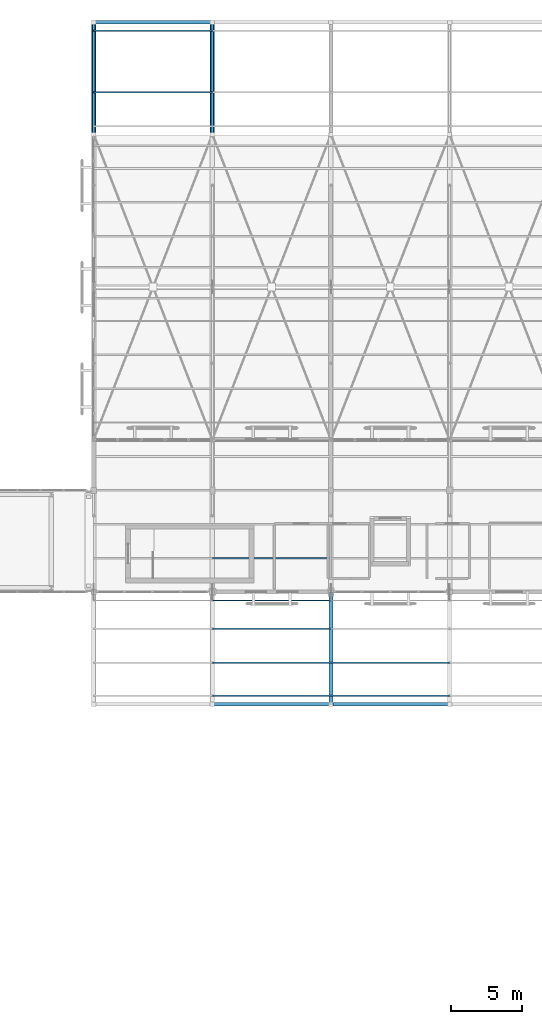
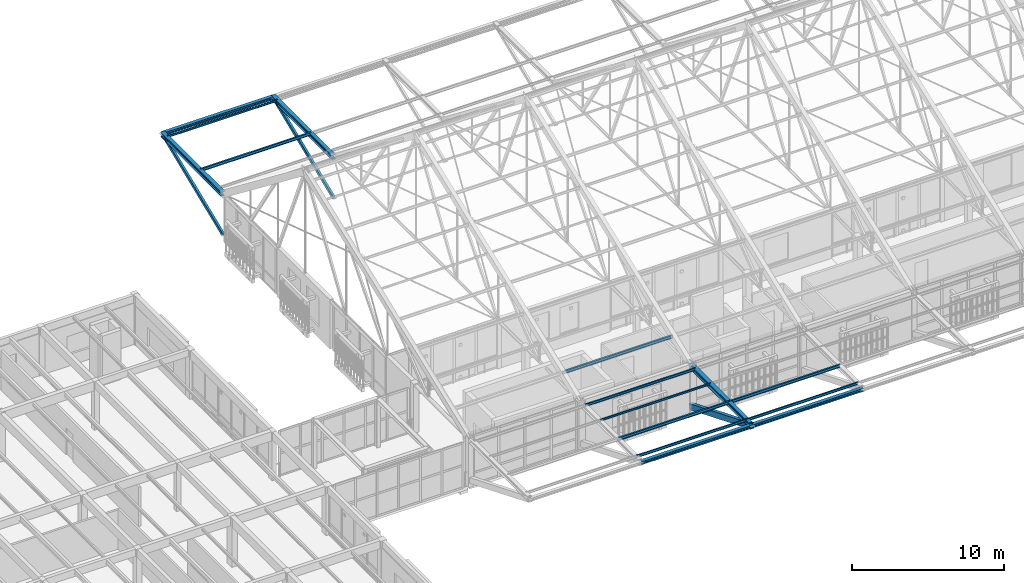
# One storey, part 80 of 217: 15 members, 3 beams.
"""IFC4 building model written with IfcOpenShell, lengths in metres."""

from ifc_helpers import new_model, si_unit, direction, frame, origin, origin_2d, place, context, subcontext, project, spatial, rectangle, hollow_rectangle, i_section, extrude, material, material_profile, profile_set, type_object, element, save


model = new_model("IFC4")

# Units and contexts
model_context = context("Model", 3, precision=1e-05, world=origin(), true_north=direction((0.0, 1.0)))
body_context = subcontext(model_context, "Body", "Model", "MODEL_VIEW")
ifc_project = project(units=[si_unit("LENGTHUNIT", "METRE"), si_unit("AREAUNIT", "SQUARE_METRE"), si_unit("VOLUMEUNIT", "CUBIC_METRE"), si_unit("PLANEANGLEUNIT", "RADIAN"), si_unit("MASSUNIT", "GRAM", prefix="KILO")], contexts=[model_context])

# Site, building, storey
site_placement = place(None, origin())
site = spatial("IfcSite", under=ifc_project, at=site_placement, CompositionType="ELEMENT")
building_placement = place(site_placement, origin())
building = spatial("IfcBuilding", under=site, at=building_placement, Name="Mazaris Harbour Polytechnic", CompositionType="ELEMENT")
storey_placement = place(building_placement, frame((0.0, 0.0, 9.60009765625)))
storey = spatial("IfcBuildingStorey", under=building, at=storey_placement, Name="L02", CompositionType="ELEMENT", Elevation=9.60009765625)

# Member
ifc_material_1 = material(Name="Glulam GL32h", Category="wood")
ifc_material_profile_1 = material_profile(ifc_material_1, rectangle(XDim=0.280029296875, YDim=0.43994140625, at=origin_2d()), Name="RECT280x440")
ifc_profile_set_1 = profile_set([ifc_material_profile_1], Name="Glulam GL32h")
member_type_1 = type_object("IfcMemberType", Name="Glulam Raking Strut 280x440", PredefinedType="BRACE", material=ifc_profile_set_1)
member_1_placement = place(storey_placement, frame((70.800048828125, 75.60009765625, 0.5), z_axis=(0.0, -0.925642918598, 0.378398186107), x_axis=(1.0, 0.0, 0.0)))
element("IfcMember", 1, at=member_1_placement, inside=storey, type_object=member_type_1, Name="Truss 3 South Eave Raking Strut", PredefinedType="BRACE", context=body_context, shape_type="SweptSolid", body=[
    extrude(rectangle(XDim=0.280029296875, YDim=0.43994140625, at=origin_2d()), origin(), (0.0, 0.0, 1.0), 8.5888671875),
])

# Beams
ifc_material_2 = material(Name="Steel S355", Category="steel")
ifc_material_profile_2 = material_profile(ifc_material_2, i_section(OverallWidth=0.260009765625, OverallDepth=0.25, WebThickness=0.007568359375, FlangeThickness=0.012451171875, FilletRadius=0.02392578125, at=origin_2d()), Name="HEA 260")
ifc_profile_set_2 = profile_set([ifc_material_profile_2], Name="Steel S355")
beam_type = type_object("IfcBeamType", Name="Steel Beam HEA260 Exterior", PredefinedType="SPANDREL", material=ifc_profile_set_2)
beam_1_placement = place(storey_placement, frame((54.0, 115.949951171875, 3.75), z_axis=(1.0, 0.0, 0.0), x_axis=(0.0, 1.0, 0.0)))
element("IfcBeam", 2, at=beam_1_placement, inside=storey, type_object=beam_type, Name="V1 Eave Fascia Beam 1", PredefinedType="SPANDREL", context=body_context, shape_type="SweptSolid", body=[
    extrude(i_section(OverallWidth=0.260009765625, OverallDepth=0.25, WebThickness=0.007568359375, FlangeThickness=0.012451171875, FilletRadius=0.02392578125, at=origin_2d()), origin(), (0.0, 0.0, 1.0), 8.39990234375),
])
beam_2_placement = place(storey_placement, frame((62.39990234375, 67.64990234375, 3.75), z_axis=(1.0, 0.0, 0.0), x_axis=(0.0, 1.0, 0.0)))
element("IfcBeam", 3, at=beam_2_placement, inside=storey, type_object=beam_type, Name="V1 Eave Fascia Beam 2", PredefinedType="SPANDREL", context=body_context, shape_type="SweptSolid", body=[
    extrude(i_section(OverallWidth=0.260009765625, OverallDepth=0.25, WebThickness=0.007568359375, FlangeThickness=0.012451171875, FilletRadius=0.02392578125, at=origin_2d()), origin(), (0.0, 0.0, 1.0), 8.400146484375),
])
beam_3_placement = place(storey_placement, frame((70.800048828125, 67.64990234375, 3.75), z_axis=(1.0, 0.0, 0.0), x_axis=(0.0, 1.0, 0.0)))
element("IfcBeam", 4, at=beam_3_placement, inside=storey, type_object=beam_type, Name="V1 Eave Fascia Beam 3", PredefinedType="SPANDREL", context=body_context, shape_type="SweptSolid", body=[
    extrude(i_section(OverallWidth=0.260009765625, OverallDepth=0.25, WebThickness=0.007568359375, FlangeThickness=0.012451171875, FilletRadius=0.02392578125, at=origin_2d()), origin(), (0.0, 0.0, 1.0), 8.39990234375),
])

# Members
ifc_material_3 = material(Name="Steel S355", Category="steel")
ifc_material_profile_3 = material_profile(ifc_material_3, i_section(OverallWidth=0.300048828125, OverallDepth=0.360107421875, WebThickness=0.012451171875, FlangeThickness=0.0224609375, FilletRadius=0.027099609375, at=origin_2d()), Name="HEB 360")
ifc_profile_set_3 = profile_set([ifc_material_profile_3], Name="Steel S355")
member_type_2 = type_object("IfcMemberType", Name="Steel Eave Cantilever HEB360", PredefinedType="CHORD", material=ifc_profile_set_3)
for number, where, z_axis, x_axis, name in (
    (5, (54.0, 108.0, 3.75), (0.0, 1.0, 0.0), (-1.0, 0.0, 0.0), "Truss 1 North Overhanging Eave Chord"),
    (6, (62.39990234375, 108.0, 3.75), (0.0, 1.0, 0.0), (-1.0, 0.0, 0.0), "Truss 2 North Overhanging Eave Chord"),
):
    element("IfcMember", number, at=place(storey_placement, frame(where, z_axis=z_axis, x_axis=x_axis)), inside=storey, type_object=member_type_2, Name=name, PredefinedType="CHORD", context=body_context, shape_type="SweptSolid", body=[
        extrude(i_section(OverallWidth=0.300048828125, OverallDepth=0.360107421875, WebThickness=0.012451171875, FlangeThickness=0.0224609375, FilletRadius=0.027099609375, at=origin_2d()), origin(), (0.0, 0.0, 1.0), 7.949951171875),
    ])
member_2_placement = place(storey_placement, frame((70.800048828125, 75.60009765625, 3.75), z_axis=(0.0, -1.0, 0.0), x_axis=(1.0, 0.0, 0.0)))
element("IfcMember", 7, at=member_2_placement, inside=storey, type_object=member_type_2, Name="Truss 3 South Overhanging Eave Chord", PredefinedType="CHORD", context=body_context, shape_type="SweptSolid", body=[
    extrude(i_section(OverallWidth=0.300048828125, OverallDepth=0.360107421875, WebThickness=0.012451171875, FlangeThickness=0.0224609375, FilletRadius=0.027099609375, at=origin_2d()), origin(), (0.0, 0.0, 1.0), 7.9501953125),
])
ifc_material_4 = material(Name="Steel S355", Category="steel")
ifc_material_profile_4 = material_profile(ifc_material_4, hollow_rectangle(XDim=0.159912109375, YDim=0.260009765625, WallThickness=0.010009765625, at=origin_2d()), Name="RHS 160x260x10.0")
ifc_profile_set_4 = profile_set([ifc_material_profile_4], Name="Steel S355")
member_type_3 = type_object("IfcMemberType", Name="Steel Eave Strut RHS160x260", PredefinedType="BRACE", material=ifc_profile_set_4)
for number, where, z_axis, x_axis, name in (
    (8, (54.0, 108.0, 0.5), (0.0, 0.925638848349, 0.378408142654), (-1.0, 0.0, 0.0), "Truss 1 North Eave Raking Strut"),
    (9, (62.39990234375, 108.0, 0.5), (0.0, 0.925638848349, 0.378408142654), (-1.0, 0.0, 0.0), "Truss 2 North Eave Raking Strut"),
):
    element("IfcMember", number, at=place(storey_placement, frame(where, z_axis=z_axis, x_axis=x_axis)), inside=storey, type_object=member_type_3, Name=name, PredefinedType="BRACE", context=body_context, shape_type="SweptSolid", body=[
        extrude(hollow_rectangle(XDim=0.159912109375, YDim=0.260009765625, WallThickness=0.010009765625, at=origin_2d()), origin(), (0.0, 0.0, 1.0), 8.588623046875),
    ])
ifc_material_5 = material(Name="Steel S355", Category="steel")
ifc_material_profile_5 = material_profile(ifc_material_5, i_section(OverallWidth=0.08203125, OverallDepth=0.159912109375, WebThickness=0.0048828125, FlangeThickness=0.00732421875, FilletRadius=0.009033203125, at=origin_2d()), Name="IPE 160")
ifc_profile_set_5 = profile_set([ifc_material_profile_5], Name="Steel S355")
member_type_4 = type_object("IfcMemberType", Name="Steel Purlin IPE160 Exterior", PredefinedType="PURLIN", material=ifc_profile_set_5)
member_3_placement = place(storey_placement, frame((54.0, 115.35009765625, 3.875), z_axis=(1.0, 0.0, 0.0), x_axis=(0.0, 1.0, 0.0)))
element("IfcMember", 10, at=member_3_placement, inside=storey, type_object=member_type_4, Name="V1 Roof Purlin N-21", PredefinedType="PURLIN", context=body_context, shape_type="SweptSolid", body=[
    extrude(i_section(OverallWidth=0.08203125, OverallDepth=0.159912109375, WebThickness=0.0048828125, FlangeThickness=0.00732421875, FilletRadius=0.009033203125, at=origin_2d()), origin(), (0.0, 0.0, 1.0), 8.39990234375),
])
member_4_placement = place(storey_placement, frame((62.39990234375, 73.0, 3.875), z_axis=(1.0, 0.0, 0.0), x_axis=(0.0, 1.0, 0.0)))
element("IfcMember", 11, at=member_4_placement, inside=storey, type_object=member_type_4, Name="V1 Roof Purlin S-24", PredefinedType="PURLIN", context=body_context, shape_type="SweptSolid", body=[
    extrude(i_section(OverallWidth=0.08203125, OverallDepth=0.159912109375, WebThickness=0.0048828125, FlangeThickness=0.00732421875, FilletRadius=0.009033203125, at=origin_2d()), origin(), (0.0, 0.0, 1.0), 8.400146484375),
])
ifc_material_6 = material(Name="Steel S355", Category="steel")
ifc_material_profile_6 = material_profile(ifc_material_6, i_section(OverallWidth=0.10009765625, OverallDepth=0.199951171875, WebThickness=0.005615234375, FlangeThickness=0.008544921875, FilletRadius=0.011962890625, at=origin_2d()), Name="IPE 200")
ifc_profile_set_6 = profile_set([ifc_material_profile_6], Name="Steel S355")
member_type_5 = type_object("IfcMemberType", Name="Steel Purlin IPE200 Exterior", PredefinedType="PURLIN", material=ifc_profile_set_6)
for number, where, z_axis, x_axis, name in (
    (12, (62.39990234375, 68.25, 3.85498046875), (1.0, 0.0, 0.0), (0.0, 1.0, 0.0), "V1 Roof Purlin S-22"),
    (13, (62.39990234375, 75.0, 3.85498046875), (1.0, 0.0, 0.0), (0.0, 1.0, 0.0), "V1 Roof Purlin S-25"),
):
    element("IfcMember", number, at=place(storey_placement, frame(where, z_axis=z_axis, x_axis=x_axis)), inside=storey, type_object=member_type_5, Name=name, PredefinedType="PURLIN", context=body_context, shape_type="SweptSolid", body=[
        extrude(i_section(OverallWidth=0.10009765625, OverallDepth=0.199951171875, WebThickness=0.005615234375, FlangeThickness=0.008544921875, FilletRadius=0.011962890625, at=origin_2d()), origin(), (0.0, 0.0, 1.0), 8.400146484375),
    ])
member_5_placement = place(storey_placement, frame((70.800048828125, 68.25, 3.85498046875), z_axis=(1.0, 0.0, 0.0), x_axis=(0.0, 1.0, 0.0)))
element("IfcMember", 14, at=member_5_placement, inside=storey, type_object=member_type_5, Name="V1 Roof Purlin S-43", PredefinedType="PURLIN", context=body_context, shape_type="SweptSolid", body=[
    extrude(i_section(OverallWidth=0.10009765625, OverallDepth=0.199951171875, WebThickness=0.005615234375, FlangeThickness=0.008544921875, FilletRadius=0.011962890625, at=origin_2d()), origin(), (0.0, 0.0, 1.0), 8.39990234375),
])
ifc_material_7 = material(Name="Steel S355", Category="steel")
ifc_material_profile_7 = material_profile(ifc_material_7, i_section(OverallWidth=0.1201171875, OverallDepth=0.239990234375, WebThickness=0.006103515625, FlangeThickness=0.009765625, FilletRadius=0.014892578125, at=origin_2d()), Name="IPE 240")
ifc_profile_set_7 = profile_set([ifc_material_profile_7], Name="Steel S355")
member_type_6 = type_object("IfcMemberType", Name="Steel Purlin IPE240", PredefinedType="PURLIN", material=ifc_profile_set_7)
member_6_placement = place(storey_placement, frame((62.39990234375, 78.0, 4.651123046875), z_axis=(1.0, 0.0, 0.0), x_axis=(0.0, 1.0, 0.0)))
element("IfcMember", 15, at=member_6_placement, inside=storey, type_object=member_type_6, Name="V1 Roof Purlin S-26", PredefinedType="PURLIN", context=body_context, shape_type="SweptSolid", body=[
    extrude(i_section(OverallWidth=0.1201171875, OverallDepth=0.239990234375, WebThickness=0.006103515625, FlangeThickness=0.009765625, FilletRadius=0.014892578125, at=origin_2d()), origin(), (0.0, 0.0, 1.0), 8.400146484375),
])
ifc_material_8 = material(Name="Steel S355", Category="steel")
ifc_material_profile_8 = material_profile(ifc_material_8, i_section(OverallWidth=0.1201171875, OverallDepth=0.239990234375, WebThickness=0.006103515625, FlangeThickness=0.009765625, FilletRadius=0.014892578125, at=origin_2d()), Name="IPE 240")
ifc_profile_set_8 = profile_set([ifc_material_profile_8], Name="Steel S355")
member_type_7 = type_object("IfcMemberType", Name="Steel Purlin IPE240 Exterior", PredefinedType="PURLIN", material=ifc_profile_set_8)
member_7_placement = place(storey_placement, frame((54.0, 111.0, 3.8349609375), z_axis=(1.0, 0.0, 0.0), x_axis=(0.0, 1.0, 0.0)))
element("IfcMember", 16, at=member_7_placement, inside=storey, type_object=member_type_7, Name="V1 Roof Purlin N-20", PredefinedType="PURLIN", context=body_context, shape_type="SweptSolid", body=[
    extrude(i_section(OverallWidth=0.1201171875, OverallDepth=0.239990234375, WebThickness=0.006103515625, FlangeThickness=0.009765625, FilletRadius=0.014892578125, at=origin_2d()), origin(), (0.0, 0.0, 1.0), 8.39990234375),
])
member_8_placement = place(storey_placement, frame((62.39990234375, 70.60009765625, 3.8349609375), z_axis=(1.0, 0.0, 0.0), x_axis=(0.0, 1.0, 0.0)))
element("IfcMember", 17, at=member_8_placement, inside=storey, type_object=member_type_7, Name="V1 Roof Purlin S-23", PredefinedType="PURLIN", context=body_context, shape_type="SweptSolid", body=[
    extrude(i_section(OverallWidth=0.1201171875, OverallDepth=0.239990234375, WebThickness=0.006103515625, FlangeThickness=0.009765625, FilletRadius=0.014892578125, at=origin_2d()), origin(), (0.0, 0.0, 1.0), 8.400146484375),
])
member_9_placement = place(storey_placement, frame((70.800048828125, 70.60009765625, 3.8349609375), z_axis=(1.0, 0.0, 0.0), x_axis=(0.0, 1.0, 0.0)))
element("IfcMember", 18, at=member_9_placement, inside=storey, type_object=member_type_7, Name="V1 Roof Purlin S-44", PredefinedType="PURLIN", context=body_context, shape_type="SweptSolid", body=[
    extrude(i_section(OverallWidth=0.1201171875, OverallDepth=0.239990234375, WebThickness=0.006103515625, FlangeThickness=0.009765625, FilletRadius=0.014892578125, at=origin_2d()), origin(), (0.0, 0.0, 1.0), 8.39990234375),
])

save(model, "model.ifc")
